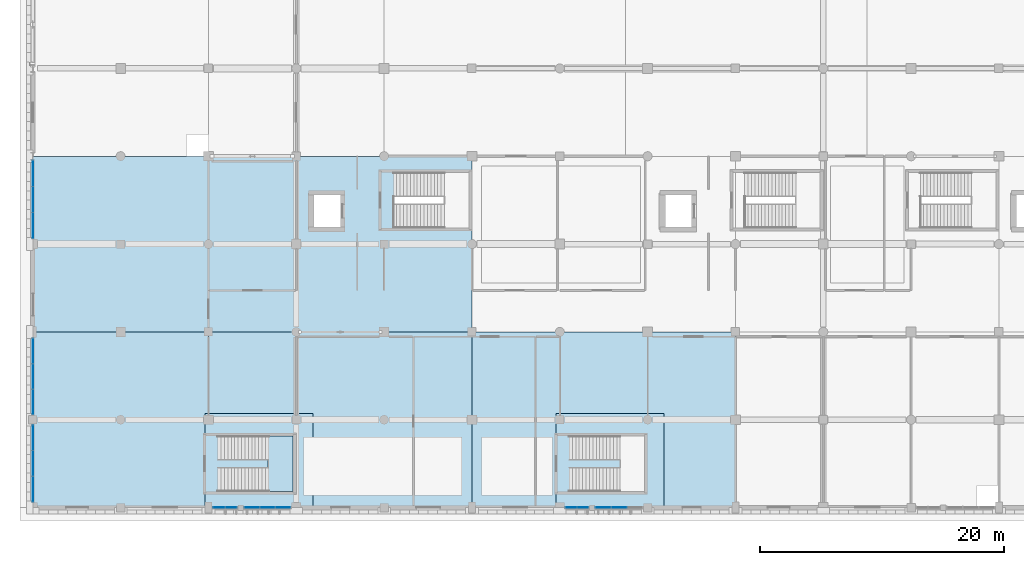
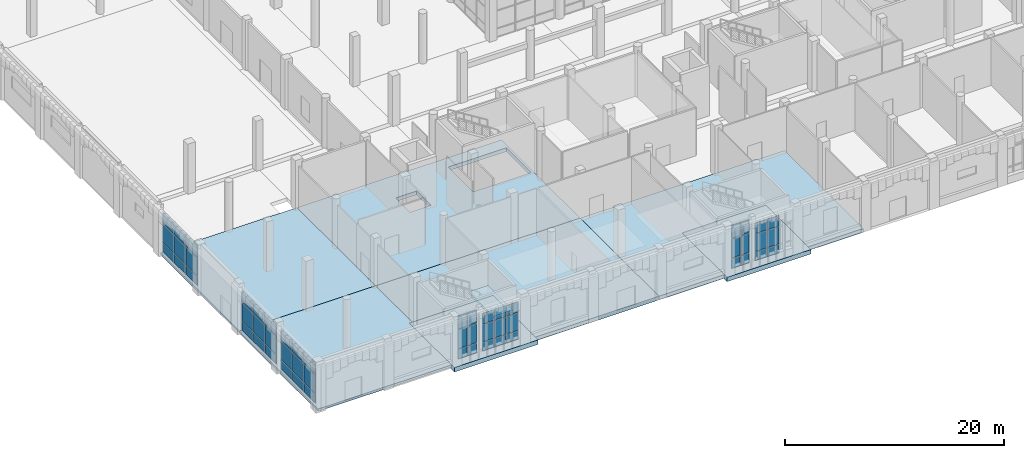
# One storey, part 37 of 85: 54 plates, 8 slabs, 8 elements without a shape of their own.
"""IFC4 building model written with IfcOpenShell, lengths in metres."""

from ifc_helpers import new_model, si_unit, direction, frame, origin, origin_2d, place, context, subcontext, project, spatial, polyline, rectangle, outline, extrude, material, layer, layer_set, type_object, element, aggregate, save


model = new_model("IFC4")

# Units and contexts
model_context = context("Model", 3, precision=1e-05, world=origin(), true_north=direction((0.0, 1.0)))
body_context = subcontext(model_context, "Body", "Model", "MODEL_VIEW")
ifc_project = project(units=[si_unit("LENGTHUNIT", "METRE"), si_unit("AREAUNIT", "SQUARE_METRE"), si_unit("VOLUMEUNIT", "CUBIC_METRE"), si_unit("PLANEANGLEUNIT", "RADIAN"), si_unit("MASSUNIT", "GRAM", prefix="KILO")], contexts=[model_context])

# Site, building, storey
site_placement = place(None, origin())
site = spatial("IfcSite", under=ifc_project, at=site_placement, CompositionType="ELEMENT")
building_placement = place(site_placement, origin())
building = spatial("IfcBuilding", under=site, at=building_placement, Name="Sardonyx Promenade Sports Hall", CompositionType="ELEMENT")
storey_placement = place(building_placement, origin())
storey = spatial("IfcBuildingStorey", under=building, at=storey_placement, Name="L00", CompositionType="ELEMENT", Elevation=0.0)

# Curtain wall, plates
ifc_material_1 = material(Name="Aluminium 6063-T6", Category="aluminium")
curtain_wall_type_1 = type_object("IfcCurtainWallType", Name="CW_South_L00_640", PredefinedType="USERDEFINED", material=ifc_material_1)
curtain_wall_1_placement = place(storey_placement, origin())
curtain_wall_1 = element("IfcCurtainWall", 1, at=curtain_wall_1_placement, inside=storey, type_object=curtain_wall_type_1, Name="Curtain wall CW11 cw:L00:013", ObjectType="CURTAIN WALL", PredefinedType="USERDEFINED")
ifc_material_2 = material(Name="Double-glazed acoustic IGU 32 mm", Category="glass")
ifc_layer_1 = layer(ifc_material_2, 0.031982421875)
ifc_layer_set_1 = layer_set([ifc_layer_1], Name="CW_Pan_Glz_32")
plate_type_1 = type_object("IfcPlateType", Name="CW_Pan_Glz_32", PredefinedType="CURTAIN_PANEL", material=ifc_layer_set_1)
plate_1_placement = place(storey_placement, frame((48.0625, 0.0, 0.419921875), z_axis=(0.0, 0.0, 1.0), x_axis=(-1.0, 0.0, 0.0)))
plate_1 = element("IfcPlate", 2, at=plate_1_placement, type_object=plate_type_1, Name="Curtain panel CP02 cw:L00:013 #4", PredefinedType="CURTAIN_PANEL", context=body_context, shape_type="SweptSolid", body=[
    extrude(rectangle(XDim=1.21826171875, YDim=0.031982421875, at=origin_2d()), origin(), (0.0, 0.0, 1.0), 0.945068359375),
])
plate_2_placement = place(storey_placement, frame((48.0625, 0.0, 1.43505859375), z_axis=(0.0, 0.0, 1.0), x_axis=(-1.0, 0.0, 0.0)))
plate_2 = element("IfcPlate", 3, at=plate_2_placement, type_object=plate_type_1, Name="Curtain panel CP02 cw:L00:013 #5", PredefinedType="CURTAIN_PANEL", context=body_context, shape_type="SweptSolid", body=[
    extrude(rectangle(XDim=1.21826171875, YDim=0.031982421875, at=origin_2d()), origin(), (0.0, 0.0, 1.0), 1.929931640625),
])
plate_3_placement = place(storey_placement, frame((48.0625, 0.0, 3.43505859375), z_axis=(0.0, 0.0, 1.0), x_axis=(-1.0, 0.0, 0.0)))
plate_3 = element("IfcPlate", 4, at=plate_3_placement, type_object=plate_type_1, Name="Curtain panel CP02 cw:L00:013 #6", PredefinedType="CURTAIN_PANEL", context=body_context, shape_type="SweptSolid", body=[
    extrude(rectangle(XDim=1.21826171875, YDim=0.031982421875, at=origin_2d()), origin(), (0.0, 0.0, 1.0), 1.14501953125),
])
plate_4_placement = place(storey_placement, frame((46.774169921875, 0.0, 0.419921875), z_axis=(0.0, 0.0, 1.0), x_axis=(-1.0, 0.0, 0.0)))
plate_4 = element("IfcPlate", 5, at=plate_4_placement, type_object=plate_type_1, Name="Curtain panel CP02 cw:L00:013 #7", PredefinedType="CURTAIN_PANEL", context=body_context, shape_type="SweptSolid", body=[
    extrude(rectangle(XDim=1.21826171875, YDim=0.031982421875, at=origin_2d()), origin(), (0.0, 0.0, 1.0), 0.945068359375),
])
plate_5_placement = place(storey_placement, frame((46.774169921875, 0.0, 1.43505859375), z_axis=(0.0, 0.0, 1.0), x_axis=(-1.0, 0.0, 0.0)))
plate_5 = element("IfcPlate", 6, at=plate_5_placement, type_object=plate_type_1, Name="Curtain panel CP02 cw:L00:013 #8", PredefinedType="CURTAIN_PANEL", context=body_context, shape_type="SweptSolid", body=[
    extrude(rectangle(XDim=1.21826171875, YDim=0.031982421875, at=origin_2d()), origin(), (0.0, 0.0, 1.0), 1.929931640625),
])
plate_6_placement = place(storey_placement, frame((46.774169921875, 0.0, 3.43505859375), z_axis=(0.0, 0.0, 1.0), x_axis=(-1.0, 0.0, 0.0)))
plate_6 = element("IfcPlate", 7, at=plate_6_placement, type_object=plate_type_1, Name="Curtain panel CP02 cw:L00:013 #9", PredefinedType="CURTAIN_PANEL", context=body_context, shape_type="SweptSolid", body=[
    extrude(rectangle(XDim=1.21826171875, YDim=0.031982421875, at=origin_2d()), origin(), (0.0, 0.0, 1.0), 1.14501953125),
])
aggregate(curtain_wall_1, [plate_1, plate_2, plate_3, plate_4, plate_5, plate_6])

curtain_wall_2_placement = place(storey_placement, origin())
curtain_wall_2 = element("IfcCurtainWall", 8, at=curtain_wall_2_placement, inside=storey, type_object=curtain_wall_type_1, Name="Curtain wall CW11 cw:L00:015", ObjectType="CURTAIN WALL", PredefinedType="USERDEFINED")
plate_7_placement = place(storey_placement, frame((20.50927734375, 0.0, 0.419921875), z_axis=(0.0, 0.0, 1.0), x_axis=(-1.0, 0.0, 0.0)))
plate_7 = element("IfcPlate", 9, at=plate_7_placement, type_object=plate_type_1, Name="Curtain panel CP02 cw:L00:015 #1", PredefinedType="CURTAIN_PANEL", context=body_context, shape_type="SweptSolid", body=[
    extrude(rectangle(XDim=1.20166015625, YDim=0.031982421875, at=origin_2d()), origin(), (0.0, 0.0, 1.0), 0.945068359375),
])
plate_8_placement = place(storey_placement, frame((20.50927734375, 0.0, 1.43505859375), z_axis=(0.0, 0.0, 1.0), x_axis=(-1.0, 0.0, 0.0)))
plate_8 = element("IfcPlate", 10, at=plate_8_placement, type_object=plate_type_1, Name="Curtain panel CP02 cw:L00:015 #2", PredefinedType="CURTAIN_PANEL", context=body_context, shape_type="SweptSolid", body=[
    extrude(rectangle(XDim=1.20166015625, YDim=0.031982421875, at=origin_2d()), origin(), (0.0, 0.0, 1.0), 1.929931640625),
])
plate_9_placement = place(storey_placement, frame((20.50927734375, 0.0, 3.43505859375), z_axis=(0.0, 0.0, 1.0), x_axis=(-1.0, 0.0, 0.0)))
plate_9 = element("IfcPlate", 11, at=plate_9_placement, type_object=plate_type_1, Name="Curtain panel CP02 cw:L00:015 #3", PredefinedType="CURTAIN_PANEL", context=body_context, shape_type="SweptSolid", body=[
    extrude(rectangle(XDim=1.20166015625, YDim=0.031982421875, at=origin_2d()), origin(), (0.0, 0.0, 1.0), 1.14501953125),
])
plate_10_placement = place(storey_placement, frame((19.237548828125, 0.0, 0.419921875), z_axis=(0.0, 0.0, 1.0), x_axis=(-1.0, 0.0, 0.0)))
plate_10 = element("IfcPlate", 12, at=plate_10_placement, type_object=plate_type_1, Name="Curtain panel CP02 cw:L00:015 #4", PredefinedType="CURTAIN_PANEL", context=body_context, shape_type="SweptSolid", body=[
    extrude(rectangle(XDim=1.20166015625, YDim=0.031982421875, at=origin_2d()), origin(), (0.0, 0.0, 1.0), 0.945068359375),
])
plate_11_placement = place(storey_placement, frame((19.237548828125, 0.0, 1.43505859375), z_axis=(0.0, 0.0, 1.0), x_axis=(-1.0, 0.0, 0.0)))
plate_11 = element("IfcPlate", 13, at=plate_11_placement, type_object=plate_type_1, Name="Curtain panel CP02 cw:L00:015 #5", PredefinedType="CURTAIN_PANEL", context=body_context, shape_type="SweptSolid", body=[
    extrude(rectangle(XDim=1.20166015625, YDim=0.031982421875, at=origin_2d()), origin(), (0.0, 0.0, 1.0), 1.929931640625),
])
plate_12_placement = place(storey_placement, frame((19.237548828125, 0.0, 3.43505859375), z_axis=(0.0, 0.0, 1.0), x_axis=(-1.0, 0.0, 0.0)))
plate_12 = element("IfcPlate", 14, at=plate_12_placement, type_object=plate_type_1, Name="Curtain panel CP02 cw:L00:015 #6", PredefinedType="CURTAIN_PANEL", context=body_context, shape_type="SweptSolid", body=[
    extrude(rectangle(XDim=1.20166015625, YDim=0.031982421875, at=origin_2d()), origin(), (0.0, 0.0, 1.0), 1.14501953125),
])
plate_13_placement = place(storey_placement, frame((17.9658203125, 0.0, 0.419921875), z_axis=(0.0, 0.0, 1.0), x_axis=(-1.0, 0.0, 0.0)))
plate_13 = element("IfcPlate", 15, at=plate_13_placement, type_object=plate_type_1, Name="Curtain panel CP02 cw:L00:015 #7", PredefinedType="CURTAIN_PANEL", context=body_context, shape_type="SweptSolid", body=[
    extrude(rectangle(XDim=1.20166015625, YDim=0.031982421875, at=origin_2d()), origin(), (0.0, 0.0, 1.0), 0.945068359375),
])
plate_14_placement = place(storey_placement, frame((17.9658203125, 0.0, 1.43505859375), z_axis=(0.0, 0.0, 1.0), x_axis=(-1.0, 0.0, 0.0)))
plate_14 = element("IfcPlate", 16, at=plate_14_placement, type_object=plate_type_1, Name="Curtain panel CP02 cw:L00:015 #8", PredefinedType="CURTAIN_PANEL", context=body_context, shape_type="SweptSolid", body=[
    extrude(rectangle(XDim=1.20166015625, YDim=0.031982421875, at=origin_2d()), origin(), (0.0, 0.0, 1.0), 1.929931640625),
])
plate_15_placement = place(storey_placement, frame((17.9658203125, 0.0, 3.43505859375), z_axis=(0.0, 0.0, 1.0), x_axis=(-1.0, 0.0, 0.0)))
plate_15 = element("IfcPlate", 17, at=plate_15_placement, type_object=plate_type_1, Name="Curtain panel CP02 cw:L00:015 #9", PredefinedType="CURTAIN_PANEL", context=body_context, shape_type="SweptSolid", body=[
    extrude(rectangle(XDim=1.20166015625, YDim=0.031982421875, at=origin_2d()), origin(), (0.0, 0.0, 1.0), 1.14501953125),
])
aggregate(curtain_wall_2, [plate_7, plate_8, plate_9, plate_10, plate_11, plate_12, plate_13, plate_14, plate_15])

ifc_material_3 = material(Name="Aluminium 6063-T6", Category="aluminium")
curtain_wall_type_2 = type_object("IfcCurtainWallType", Name="CW_Climb_North_L00", PredefinedType="USERDEFINED", material=ifc_material_3)
curtain_wall_3_placement = place(storey_placement, origin())
curtain_wall_3 = element("IfcCurtainWall", 18, at=curtain_wall_3_placement, inside=storey, type_object=curtain_wall_type_2, Name="Curtain wall CW05 cw:L00:060", ObjectType="CURTAIN WALL", PredefinedType="USERDEFINED")
ifc_material_4 = material(Name="Laminated safety sports IGU 36 mm", Category="glass")
ifc_layer_2 = layer(ifc_material_4, 0.035888671875)
ifc_layer_set_2 = layer_set([ifc_layer_2], Name="CW_Pan_Glz_36")
plate_type_2 = type_object("IfcPlateType", Name="CW_Pan_Glz_36", PredefinedType="CURTAIN_PANEL", material=ifc_layer_set_2)
plate_16_placement = place(storey_placement, frame((0.0, 1.51171875, 0.419921875), z_axis=(0.0, 0.0, 1.0), x_axis=(0.0, 1.0, 0.0)))
plate_16 = element("IfcPlate", 19, at=plate_16_placement, type_object=plate_type_2, Name="Curtain panel CP03 cw:L00:060 #1", PredefinedType="CURTAIN_PANEL", context=body_context, shape_type="SweptSolid", body=[
    extrude(rectangle(XDim=2.043212890625, YDim=0.035888671875, at=origin_2d()), origin(), (0.0, 0.0, 1.0), 0.9951171875),
])
plate_17_placement = place(storey_placement, frame((0.0, 1.51171875, 1.48486328125), z_axis=(0.0, 0.0, 1.0), x_axis=(0.0, 1.0, 0.0)))
plate_17 = element("IfcPlate", 20, at=plate_17_placement, type_object=plate_type_2, Name="Curtain panel CP03 cw:L00:060 #2", PredefinedType="CURTAIN_PANEL", context=body_context, shape_type="SweptSolid", body=[
    extrude(rectangle(XDim=2.043212890625, YDim=0.035888671875, at=origin_2d()), origin(), (0.0, 0.0, 1.0), 2.030029296875),
])
plate_18_placement = place(storey_placement, frame((0.0, 1.51171875, 3.5849609375), z_axis=(0.0, 0.0, 1.0), x_axis=(0.0, 1.0, 0.0)))
plate_18 = element("IfcPlate", 21, at=plate_18_placement, type_object=plate_type_2, Name="Curtain panel CP03 cw:L00:060 #3", PredefinedType="CURTAIN_PANEL", context=body_context, shape_type="SweptSolid", body=[
    extrude(rectangle(XDim=2.043212890625, YDim=0.035888671875, at=origin_2d()), origin(), (0.0, 0.0, 1.0), 1.294921875),
])
plate_19_placement = place(storey_placement, frame((0.0, 3.625, 0.419921875), z_axis=(0.0, 0.0, 1.0), x_axis=(0.0, 1.0, 0.0)))
plate_19 = element("IfcPlate", 22, at=plate_19_placement, type_object=plate_type_2, Name="Curtain panel CP03 cw:L00:060 #4", PredefinedType="CURTAIN_PANEL", context=body_context, shape_type="SweptSolid", body=[
    extrude(rectangle(XDim=2.043212890625, YDim=0.035888671875, at=origin_2d()), origin(), (0.0, 0.0, 1.0), 0.9951171875),
])
plate_20_placement = place(storey_placement, frame((0.0, 3.625, 1.48486328125), z_axis=(0.0, 0.0, 1.0), x_axis=(0.0, 1.0, 0.0)))
plate_20 = element("IfcPlate", 23, at=plate_20_placement, type_object=plate_type_2, Name="Curtain panel CP03 cw:L00:060 #5", PredefinedType="CURTAIN_PANEL", context=body_context, shape_type="SweptSolid", body=[
    extrude(rectangle(XDim=2.043212890625, YDim=0.035888671875, at=origin_2d()), origin(), (0.0, 0.0, 1.0), 2.030029296875),
])
plate_21_placement = place(storey_placement, frame((0.0, 3.625, 3.5849609375), z_axis=(0.0, 0.0, 1.0), x_axis=(0.0, 1.0, 0.0)))
plate_21 = element("IfcPlate", 24, at=plate_21_placement, type_object=plate_type_2, Name="Curtain panel CP03 cw:L00:060 #6", PredefinedType="CURTAIN_PANEL", context=body_context, shape_type="SweptSolid", body=[
    extrude(rectangle(XDim=2.043212890625, YDim=0.035888671875, at=origin_2d()), origin(), (0.0, 0.0, 1.0), 1.294921875),
])
plate_22_placement = place(storey_placement, frame((0.0, 5.73828125, 0.419921875), z_axis=(0.0, 0.0, 1.0), x_axis=(0.0, 1.0, 0.0)))
plate_22 = element("IfcPlate", 25, at=plate_22_placement, type_object=plate_type_2, Name="Curtain panel CP03 cw:L00:060 #7", PredefinedType="CURTAIN_PANEL", context=body_context, shape_type="SweptSolid", body=[
    extrude(rectangle(XDim=2.043212890625, YDim=0.035888671875, at=origin_2d()), origin(), (0.0, 0.0, 1.0), 0.9951171875),
])
plate_23_placement = place(storey_placement, frame((0.0, 5.73828125, 1.48486328125), z_axis=(0.0, 0.0, 1.0), x_axis=(0.0, 1.0, 0.0)))
plate_23 = element("IfcPlate", 26, at=plate_23_placement, type_object=plate_type_2, Name="Curtain panel CP03 cw:L00:060 #8", PredefinedType="CURTAIN_PANEL", context=body_context, shape_type="SweptSolid", body=[
    extrude(rectangle(XDim=2.043212890625, YDim=0.035888671875, at=origin_2d()), origin(), (0.0, 0.0, 1.0), 2.030029296875),
])
plate_24_placement = place(storey_placement, frame((0.0, 5.73828125, 3.5849609375), z_axis=(0.0, 0.0, 1.0), x_axis=(0.0, 1.0, 0.0)))
plate_24 = element("IfcPlate", 27, at=plate_24_placement, type_object=plate_type_2, Name="Curtain panel CP03 cw:L00:060 #9", PredefinedType="CURTAIN_PANEL", context=body_context, shape_type="SweptSolid", body=[
    extrude(rectangle(XDim=2.043212890625, YDim=0.035888671875, at=origin_2d()), origin(), (0.0, 0.0, 1.0), 1.294921875),
])
aggregate(curtain_wall_3, [plate_16, plate_17, plate_18, plate_19, plate_20, plate_21, plate_22, plate_23, plate_24])

curtain_wall_4_placement = place(storey_placement, origin())
curtain_wall_4 = element("IfcCurtainWall", 28, at=curtain_wall_4_placement, inside=storey, type_object=curtain_wall_type_2, Name="Curtain wall CW05 cw:L00:061", ObjectType="CURTAIN WALL", PredefinedType="USERDEFINED")
plate_25_placement = place(storey_placement, frame((0.0, 8.6533203125, 0.419921875), z_axis=(0.0, 0.0, 1.0), x_axis=(0.0, 1.0, 0.0)))
plate_25 = element("IfcPlate", 29, at=plate_25_placement, type_object=plate_type_2, Name="Curtain panel CP03 cw:L00:061 #1", PredefinedType="CURTAIN_PANEL", context=body_context, shape_type="SweptSolid", body=[
    extrude(rectangle(XDim=2.026611328125, YDim=0.035888671875, at=origin_2d()), origin(), (0.0, 0.0, 1.0), 0.9951171875),
])
plate_26_placement = place(storey_placement, frame((0.0, 8.6533203125, 1.48486328125), z_axis=(0.0, 0.0, 1.0), x_axis=(0.0, 1.0, 0.0)))
plate_26 = element("IfcPlate", 30, at=plate_26_placement, type_object=plate_type_2, Name="Curtain panel CP03 cw:L00:061 #2", PredefinedType="CURTAIN_PANEL", context=body_context, shape_type="SweptSolid", body=[
    extrude(rectangle(XDim=2.026611328125, YDim=0.035888671875, at=origin_2d()), origin(), (0.0, 0.0, 1.0), 2.030029296875),
])
plate_27_placement = place(storey_placement, frame((0.0, 8.6533203125, 3.5849609375), z_axis=(0.0, 0.0, 1.0), x_axis=(0.0, 1.0, 0.0)))
plate_27 = element("IfcPlate", 31, at=plate_27_placement, type_object=plate_type_2, Name="Curtain panel CP03 cw:L00:061 #3", PredefinedType="CURTAIN_PANEL", context=body_context, shape_type="SweptSolid", body=[
    extrude(rectangle(XDim=2.026611328125, YDim=0.035888671875, at=origin_2d()), origin(), (0.0, 0.0, 1.0), 1.294921875),
])
plate_28_placement = place(storey_placement, frame((0.0, 10.75, 0.419921875), z_axis=(0.0, 0.0, 1.0), x_axis=(0.0, 1.0, 0.0)))
plate_28 = element("IfcPlate", 32, at=plate_28_placement, type_object=plate_type_2, Name="Curtain panel CP03 cw:L00:061 #4", PredefinedType="CURTAIN_PANEL", context=body_context, shape_type="SweptSolid", body=[
    extrude(rectangle(XDim=2.026611328125, YDim=0.035888671875, at=origin_2d()), origin(), (0.0, 0.0, 1.0), 0.9951171875),
])
plate_29_placement = place(storey_placement, frame((0.0, 10.75, 1.48486328125), z_axis=(0.0, 0.0, 1.0), x_axis=(0.0, 1.0, 0.0)))
plate_29 = element("IfcPlate", 33, at=plate_29_placement, type_object=plate_type_2, Name="Curtain panel CP03 cw:L00:061 #5", PredefinedType="CURTAIN_PANEL", context=body_context, shape_type="SweptSolid", body=[
    extrude(rectangle(XDim=2.026611328125, YDim=0.035888671875, at=origin_2d()), origin(), (0.0, 0.0, 1.0), 2.030029296875),
])
plate_30_placement = place(storey_placement, frame((0.0, 10.75, 3.5849609375), z_axis=(0.0, 0.0, 1.0), x_axis=(0.0, 1.0, 0.0)))
plate_30 = element("IfcPlate", 34, at=plate_30_placement, type_object=plate_type_2, Name="Curtain panel CP03 cw:L00:061 #6", PredefinedType="CURTAIN_PANEL", context=body_context, shape_type="SweptSolid", body=[
    extrude(rectangle(XDim=2.026611328125, YDim=0.035888671875, at=origin_2d()), origin(), (0.0, 0.0, 1.0), 1.294921875),
])
plate_31_placement = place(storey_placement, frame((0.0, 12.8466796875, 0.419921875), z_axis=(0.0, 0.0, 1.0), x_axis=(0.0, 1.0, 0.0)))
plate_31 = element("IfcPlate", 35, at=plate_31_placement, type_object=plate_type_2, Name="Curtain panel CP03 cw:L00:061 #7", PredefinedType="CURTAIN_PANEL", context=body_context, shape_type="SweptSolid", body=[
    extrude(rectangle(XDim=2.026611328125, YDim=0.035888671875, at=origin_2d()), origin(), (0.0, 0.0, 1.0), 0.9951171875),
])
plate_32_placement = place(storey_placement, frame((0.0, 12.8466796875, 1.48486328125), z_axis=(0.0, 0.0, 1.0), x_axis=(0.0, 1.0, 0.0)))
plate_32 = element("IfcPlate", 36, at=plate_32_placement, type_object=plate_type_2, Name="Curtain panel CP03 cw:L00:061 #8", PredefinedType="CURTAIN_PANEL", context=body_context, shape_type="SweptSolid", body=[
    extrude(rectangle(XDim=2.026611328125, YDim=0.035888671875, at=origin_2d()), origin(), (0.0, 0.0, 1.0), 2.030029296875),
])
plate_33_placement = place(storey_placement, frame((0.0, 12.8466796875, 3.5849609375), z_axis=(0.0, 0.0, 1.0), x_axis=(0.0, 1.0, 0.0)))
plate_33 = element("IfcPlate", 37, at=plate_33_placement, type_object=plate_type_2, Name="Curtain panel CP03 cw:L00:061 #9", PredefinedType="CURTAIN_PANEL", context=body_context, shape_type="SweptSolid", body=[
    extrude(rectangle(XDim=2.026611328125, YDim=0.035888671875, at=origin_2d()), origin(), (0.0, 0.0, 1.0), 1.294921875),
])
aggregate(curtain_wall_4, [plate_25, plate_26, plate_27, plate_28, plate_29, plate_30, plate_31, plate_32, plate_33])

curtain_wall_5_placement = place(storey_placement, origin())
curtain_wall_5 = element("IfcCurtainWall", 38, at=curtain_wall_5_placement, inside=storey, type_object=curtain_wall_type_2, Name="Curtain wall CW05 cw:L00:062", ObjectType="CURTAIN WALL", PredefinedType="USERDEFINED")
plate_34_placement = place(storey_placement, frame((0.0, 23.120849609375, 0.419921875), z_axis=(0.0, 0.0, 1.0), x_axis=(0.0, 1.0, 0.0)))
plate_34 = element("IfcPlate", 39, at=plate_34_placement, type_object=plate_type_2, Name="Curtain panel CP03 cw:L00:062 #1", PredefinedType="CURTAIN_PANEL", context=body_context, shape_type="SweptSolid", body=[
    extrude(rectangle(XDim=2.061767578125, YDim=0.035888671875, at=origin_2d()), origin(), (0.0, 0.0, 1.0), 0.9951171875),
])
plate_35_placement = place(storey_placement, frame((0.0, 23.120849609375, 1.48486328125), z_axis=(0.0, 0.0, 1.0), x_axis=(0.0, 1.0, 0.0)))
plate_35 = element("IfcPlate", 40, at=plate_35_placement, type_object=plate_type_2, Name="Curtain panel CP03 cw:L00:062 #2", PredefinedType="CURTAIN_PANEL", context=body_context, shape_type="SweptSolid", body=[
    extrude(rectangle(XDim=2.061767578125, YDim=0.035888671875, at=origin_2d()), origin(), (0.0, 0.0, 1.0), 2.030029296875),
])
plate_36_placement = place(storey_placement, frame((0.0, 23.120849609375, 3.5849609375), z_axis=(0.0, 0.0, 1.0), x_axis=(0.0, 1.0, 0.0)))
plate_36 = element("IfcPlate", 41, at=plate_36_placement, type_object=plate_type_2, Name="Curtain panel CP03 cw:L00:062 #3", PredefinedType="CURTAIN_PANEL", context=body_context, shape_type="SweptSolid", body=[
    extrude(rectangle(XDim=2.061767578125, YDim=0.035888671875, at=origin_2d()), origin(), (0.0, 0.0, 1.0), 1.294921875),
])
plate_37_placement = place(storey_placement, frame((0.0, 25.25244140625, 0.419921875), z_axis=(0.0, 0.0, 1.0), x_axis=(0.0, 1.0, 0.0)))
plate_37 = element("IfcPlate", 42, at=plate_37_placement, type_object=plate_type_2, Name="Curtain panel CP03 cw:L00:062 #4", PredefinedType="CURTAIN_PANEL", context=body_context, shape_type="SweptSolid", body=[
    extrude(rectangle(XDim=2.061767578125, YDim=0.035888671875, at=origin_2d()), origin(), (0.0, 0.0, 1.0), 0.9951171875),
])
plate_38_placement = place(storey_placement, frame((0.0, 25.25244140625, 1.48486328125), z_axis=(0.0, 0.0, 1.0), x_axis=(0.0, 1.0, 0.0)))
plate_38 = element("IfcPlate", 43, at=plate_38_placement, type_object=plate_type_2, Name="Curtain panel CP03 cw:L00:062 #5", PredefinedType="CURTAIN_PANEL", context=body_context, shape_type="SweptSolid", body=[
    extrude(rectangle(XDim=2.061767578125, YDim=0.035888671875, at=origin_2d()), origin(), (0.0, 0.0, 1.0), 2.030029296875),
])
plate_39_placement = place(storey_placement, frame((0.0, 25.25244140625, 3.5849609375), z_axis=(0.0, 0.0, 1.0), x_axis=(0.0, 1.0, 0.0)))
plate_39 = element("IfcPlate", 44, at=plate_39_placement, type_object=plate_type_2, Name="Curtain panel CP03 cw:L00:062 #6", PredefinedType="CURTAIN_PANEL", context=body_context, shape_type="SweptSolid", body=[
    extrude(rectangle(XDim=2.061767578125, YDim=0.035888671875, at=origin_2d()), origin(), (0.0, 0.0, 1.0), 1.294921875),
])
plate_40_placement = place(storey_placement, frame((0.0, 27.38427734375, 0.419921875), z_axis=(0.0, 0.0, 1.0), x_axis=(0.0, 1.0, 0.0)))
plate_40 = element("IfcPlate", 45, at=plate_40_placement, type_object=plate_type_2, Name="Curtain panel CP03 cw:L00:062 #7", PredefinedType="CURTAIN_PANEL", context=body_context, shape_type="SweptSolid", body=[
    extrude(rectangle(XDim=2.061767578125, YDim=0.035888671875, at=origin_2d()), origin(), (0.0, 0.0, 1.0), 0.9951171875),
])
plate_41_placement = place(storey_placement, frame((0.0, 27.38427734375, 1.48486328125), z_axis=(0.0, 0.0, 1.0), x_axis=(0.0, 1.0, 0.0)))
plate_41 = element("IfcPlate", 46, at=plate_41_placement, type_object=plate_type_2, Name="Curtain panel CP03 cw:L00:062 #8", PredefinedType="CURTAIN_PANEL", context=body_context, shape_type="SweptSolid", body=[
    extrude(rectangle(XDim=2.061767578125, YDim=0.035888671875, at=origin_2d()), origin(), (0.0, 0.0, 1.0), 2.030029296875),
])
plate_42_placement = place(storey_placement, frame((0.0, 27.38427734375, 3.5849609375), z_axis=(0.0, 0.0, 1.0), x_axis=(0.0, 1.0, 0.0)))
plate_42 = element("IfcPlate", 47, at=plate_42_placement, type_object=plate_type_2, Name="Curtain panel CP03 cw:L00:062 #9", PredefinedType="CURTAIN_PANEL", context=body_context, shape_type="SweptSolid", body=[
    extrude(rectangle(XDim=2.061767578125, YDim=0.035888671875, at=origin_2d()), origin(), (0.0, 0.0, 1.0), 1.294921875),
])
aggregate(curtain_wall_5, [plate_34, plate_35, plate_36, plate_37, plate_38, plate_39, plate_40, plate_41, plate_42])

ifc_material_5 = material(Name="Aluminium 6063-T6", Category="aluminium")
curtain_wall_type_3 = type_object("IfcCurtainWallType", Name="CW_Foyer_Pilaster_L00", PredefinedType="USERDEFINED", material=ifc_material_5)
curtain_wall_6_placement = place(storey_placement, origin())
curtain_wall_6 = element("IfcCurtainWall", 48, at=curtain_wall_6_placement, inside=storey, type_object=curtain_wall_type_3, Name="Curtain wall CW20 cw:L00:014", ObjectType="CURTAIN WALL", PredefinedType="USERDEFINED")
ifc_material_6 = material(Name="Triple-glazed harbour solar IGU 40 mm", Category="glass")
ifc_layer_3 = layer(ifc_material_6, 0.0400390625)
ifc_layer_set_3 = layer_set([ifc_layer_3], Name="CW_Pan_Glz_40")
plate_type_3 = type_object("IfcPlateType", Name="CW_Pan_Glz_40", PredefinedType="CURTAIN_PANEL", material=ifc_layer_set_3)
plate_43_placement = place(storey_placement, frame((45.090087890625, 0.0, 0.425048828125), z_axis=(0.0, 0.0, 1.0), x_axis=(-1.0, 0.0, 0.0)))
plate_43 = element("IfcPlate", 49, at=plate_43_placement, type_object=plate_type_3, Name="Curtain panel CP04 cw:L00:014 #1", PredefinedType="CURTAIN_PANEL", context=body_context, shape_type="SweptSolid", body=[
    extrude(rectangle(XDim=0.8798828125, YDim=0.0400390625, at=origin_2d()), origin(), (0.0, 0.0, 1.0), 1.08740234375),
])
plate_44_placement = place(storey_placement, frame((45.090087890625, 0.0, 1.58740234375), z_axis=(0.0, 0.0, 1.0), x_axis=(-1.0, 0.0, 0.0)))
plate_44 = element("IfcPlate", 50, at=plate_44_placement, type_object=plate_type_3, Name="Curtain panel CP04 cw:L00:014 #2", PredefinedType="CURTAIN_PANEL", context=body_context, shape_type="SweptSolid", body=[
    extrude(rectangle(XDim=0.8798828125, YDim=0.0400390625, at=origin_2d()), origin(), (0.0, 0.0, 1.0), 2.125),
])
plate_45_placement = place(storey_placement, frame((45.090087890625, 0.0, 3.78759765625), z_axis=(0.0, 0.0, 1.0), x_axis=(-1.0, 0.0, 0.0)))
plate_45 = element("IfcPlate", 51, at=plate_45_placement, type_object=plate_type_3, Name="Curtain panel CP04 cw:L00:014 #3", PredefinedType="CURTAIN_PANEL", context=body_context, shape_type="SweptSolid", body=[
    extrude(rectangle(XDim=0.8798828125, YDim=0.0400390625, at=origin_2d()), origin(), (0.0, 0.0, 1.0), 1.4375),
])
plate_46_placement = place(storey_placement, frame((44.135009765625, 0.0, 0.425048828125), z_axis=(0.0, 0.0, 1.0), x_axis=(-1.0, 0.0, 0.0)))
plate_46 = element("IfcPlate", 52, at=plate_46_placement, type_object=plate_type_3, Name="Curtain panel CP04 cw:L00:014 #4", PredefinedType="CURTAIN_PANEL", context=body_context, shape_type="SweptSolid", body=[
    extrude(rectangle(XDim=0.8798828125, YDim=0.0400390625, at=origin_2d()), origin(), (0.0, 0.0, 1.0), 1.08740234375),
])
plate_47_placement = place(storey_placement, frame((44.135009765625, 0.0, 1.58740234375), z_axis=(0.0, 0.0, 1.0), x_axis=(-1.0, 0.0, 0.0)))
plate_47 = element("IfcPlate", 53, at=plate_47_placement, type_object=plate_type_3, Name="Curtain panel CP04 cw:L00:014 #5", PredefinedType="CURTAIN_PANEL", context=body_context, shape_type="SweptSolid", body=[
    extrude(rectangle(XDim=0.8798828125, YDim=0.0400390625, at=origin_2d()), origin(), (0.0, 0.0, 1.0), 2.125),
])
plate_48_placement = place(storey_placement, frame((44.135009765625, 0.0, 3.78759765625), z_axis=(0.0, 0.0, 1.0), x_axis=(-1.0, 0.0, 0.0)))
plate_48 = element("IfcPlate", 54, at=plate_48_placement, type_object=plate_type_3, Name="Curtain panel CP04 cw:L00:014 #6", PredefinedType="CURTAIN_PANEL", context=body_context, shape_type="SweptSolid", body=[
    extrude(rectangle(XDim=0.8798828125, YDim=0.0400390625, at=origin_2d()), origin(), (0.0, 0.0, 1.0), 1.4375),
])
aggregate(curtain_wall_6, [plate_43, plate_44, plate_45, plate_46, plate_47, plate_48])

curtain_wall_7_placement = place(storey_placement, origin())
curtain_wall_7 = element("IfcCurtainWall", 55, at=curtain_wall_7_placement, inside=storey, type_object=curtain_wall_type_3, Name="Curtain wall CW20 cw:L00:016", ObjectType="CURTAIN WALL", PredefinedType="USERDEFINED")
plate_49_placement = place(storey_placement, frame((16.264892578125, 0.0, 0.425048828125), z_axis=(0.0, 0.0, 1.0), x_axis=(-1.0, 0.0, 0.0)))
plate_49 = element("IfcPlate", 56, at=plate_49_placement, type_object=plate_type_3, Name="Curtain panel CP04 cw:L00:016 #1", PredefinedType="CURTAIN_PANEL", context=body_context, shape_type="SweptSolid", body=[
    extrude(rectangle(XDim=0.929931640625, YDim=0.0400390625, at=origin_2d()), origin(), (0.0, 0.0, 1.0), 1.08740234375),
])
plate_50_placement = place(storey_placement, frame((16.264892578125, 0.0, 1.58740234375), z_axis=(0.0, 0.0, 1.0), x_axis=(-1.0, 0.0, 0.0)))
plate_50 = element("IfcPlate", 57, at=plate_50_placement, type_object=plate_type_3, Name="Curtain panel CP04 cw:L00:016 #2", PredefinedType="CURTAIN_PANEL", context=body_context, shape_type="SweptSolid", body=[
    extrude(rectangle(XDim=0.929931640625, YDim=0.0400390625, at=origin_2d()), origin(), (0.0, 0.0, 1.0), 2.125),
])
plate_51_placement = place(storey_placement, frame((16.264892578125, 0.0, 3.78759765625), z_axis=(0.0, 0.0, 1.0), x_axis=(-1.0, 0.0, 0.0)))
plate_51 = element("IfcPlate", 58, at=plate_51_placement, type_object=plate_type_3, Name="Curtain panel CP04 cw:L00:016 #3", PredefinedType="CURTAIN_PANEL", context=body_context, shape_type="SweptSolid", body=[
    extrude(rectangle(XDim=0.929931640625, YDim=0.0400390625, at=origin_2d()), origin(), (0.0, 0.0, 1.0), 1.4375),
])
plate_52_placement = place(storey_placement, frame((15.260009765625, 0.0, 0.425048828125), z_axis=(0.0, 0.0, 1.0), x_axis=(-1.0, 0.0, 0.0)))
plate_52 = element("IfcPlate", 59, at=plate_52_placement, type_object=plate_type_3, Name="Curtain panel CP04 cw:L00:016 #4", PredefinedType="CURTAIN_PANEL", context=body_context, shape_type="SweptSolid", body=[
    extrude(rectangle(XDim=0.929931640625, YDim=0.0400390625, at=origin_2d()), origin(), (0.0, 0.0, 1.0), 1.08740234375),
])
plate_53_placement = place(storey_placement, frame((15.260009765625, 0.0, 1.58740234375), z_axis=(0.0, 0.0, 1.0), x_axis=(-1.0, 0.0, 0.0)))
plate_53 = element("IfcPlate", 60, at=plate_53_placement, type_object=plate_type_3, Name="Curtain panel CP04 cw:L00:016 #5", PredefinedType="CURTAIN_PANEL", context=body_context, shape_type="SweptSolid", body=[
    extrude(rectangle(XDim=0.929931640625, YDim=0.0400390625, at=origin_2d()), origin(), (0.0, 0.0, 1.0), 2.125),
])
plate_54_placement = place(storey_placement, frame((15.260009765625, 0.0, 3.78759765625), z_axis=(0.0, 0.0, 1.0), x_axis=(-1.0, 0.0, 0.0)))
plate_54 = element("IfcPlate", 61, at=plate_54_placement, type_object=plate_type_3, Name="Curtain panel CP04 cw:L00:016 #6", PredefinedType="CURTAIN_PANEL", context=body_context, shape_type="SweptSolid", body=[
    extrude(rectangle(XDim=0.929931640625, YDim=0.0400390625, at=origin_2d()), origin(), (0.0, 0.0, 1.0), 1.4375),
])
aggregate(curtain_wall_7, [plate_49, plate_50, plate_51, plate_52, plate_53, plate_54])

# Stair, slab
ifc_material_7 = material(Name="Concrete C40/50", Category="concrete")
stair_type = type_object("IfcStairType", Name="Stair_Esc_Std_560", PredefinedType="HALF_TURN_STAIR", material=ifc_material_7)
stair_placement = place(storey_placement, origin())
stair = element("IfcStair", 62, at=stair_placement, inside=storey, type_object=stair_type, Name="Protected escape stair ST5 (L00 to L01)", PredefinedType="HALF_TURN_STAIR")
ifc_material_8 = material(Name="Concrete C40/50", Category="concrete")
ifc_layer_4 = layer(ifc_material_8, 0.260009765625)
ifc_layer_set_4 = layer_set([ifc_layer_4], Name="Land_Stair_260")
slab_type_1 = type_object("IfcSlabType", Name="Land_Stair_260", PredefinedType="LANDING", material=ifc_layer_set_4)
slab_1_placement = place(storey_placement, frame((0.0, 0.0, 2.5400390625)))
slab_1 = element("IfcSlab", 63, at=slab_1_placement, type_object=slab_type_1, Name="Stair half-landing ST5 L00", PredefinedType="LANDING", context=body_context, shape_type="SweptSolid", body=[
    extrude(outline(polyline([(19.2900390625, 1.324951171875), (21.35009765625, 1.324951171875), (21.35009765625, 5.875), (19.2900390625, 5.875), (19.2900390625, 1.324951171875)])), origin(), (0.0, 0.0, 1.0), 0.260009765625),
])
aggregate(stair, [slab_1])

# Slabs
ifc_material_9 = material(Name="Concrete C40/50", Category="concrete")
ifc_layer_5 = layer(ifc_material_9, 0.5)
ifc_layer_set_5 = layer_set([ifc_layer_5], Name="Slab_Base_B1_500")
slab_type_2 = type_object("IfcSlabType", Name="Slab_Base_B1_500", PredefinedType="BASESLAB", material=ifc_layer_set_5)
slab_2_placement = place(storey_placement, frame((0.0, 0.0, -0.5)))
element("IfcSlab", 64, at=slab_2_placement, inside=storey, type_object=slab_type_2, Name="Stair core thickened base slab BS01 L00 ST5", PredefinedType="BASESLAB", context=body_context, shape_type="SweptSolid", body=[
    extrude(outline(polyline([(14.10009765625, -0.5), (22.949951171875, -0.5), (22.949951171875, 7.699951171875), (14.10009765625, 7.699951171875), (14.10009765625, -0.5)])), origin(), (0.0, 0.0, 1.0), 0.5),
])
slab_3_placement = place(storey_placement, frame((0.0, 0.0, -0.5)))
element("IfcSlab", 65, at=slab_3_placement, inside=storey, type_object=slab_type_2, Name="Stair core thickened base slab BS01 L00 ST6", PredefinedType="BASESLAB", context=body_context, shape_type="SweptSolid", body=[
    extrude(outline(polyline([(42.89990234375, -0.5), (51.75, -0.5), (51.75, 7.699951171875), (42.89990234375, 7.699951171875), (42.89990234375, -0.5)])), origin(), (0.0, 0.0, 1.0), 0.5),
])
ifc_material_10 = material(Name="Concrete C40/50", Category="concrete")
ifc_layer_6 = layer(ifc_material_10, 0.419921875)
ifc_layer_set_6 = layer_set([ifc_layer_6], Name="Slab_Base_L00_350")
slab_type_3 = type_object("IfcSlabType", Name="Slab_Base_L00_350", PredefinedType="BASESLAB", material=ifc_layer_set_6)
slab_4_placement = place(storey_placement, frame((0.0, 0.0, -0.419921875)))
element("IfcSlab", 66, at=slab_4_placement, inside=storey, type_object=slab_type_3, Name="Slab BS02 L00 #55", PredefinedType="BASESLAB", context=body_context, shape_type="SweptSolid", body=[
    extrude(outline(polyline([(14.39990234375, 14.39990234375), (14.39990234375, 7.699951171875), (22.949951171875, 7.699951171875), (22.949951171875, 0.0), (36.0, 0.0), (36.0, 14.39990234375), (14.39990234375, 14.39990234375)])), origin(), (0.0, 0.0, 1.0), 0.419921875),
])
slab_5_placement = place(storey_placement, frame((0.0, 0.0, -0.419921875)))
element("IfcSlab", 67, at=slab_5_placement, inside=storey, type_object=slab_type_3, Name="Slab BS02 L00 #56", PredefinedType="BASESLAB", context=body_context, shape_type="SweptSolid", body=[
    extrude(outline(polyline([(14.39990234375, 28.800048828125), (14.39990234375, 14.39990234375), (36.0, 14.39990234375), (36.0, 28.800048828125), (14.39990234375, 28.800048828125)]), holes=[polyline([(29.610107421875, 27.47509765625), (35.75, 27.47509765625), (35.75, 22.925048828125), (29.610107421875, 22.925048828125), (29.610107421875, 27.47509765625)]), polyline([(22.989990234375, 25.610107421875), (25.2099609375, 25.610107421875), (25.2099609375, 22.989990234375), (22.989990234375, 22.989990234375), (22.989990234375, 25.610107421875)])]), origin(), (0.0, 0.0, 1.0), 0.419921875),
])
slab_6_placement = place(storey_placement, frame((0.0, 0.0, -0.419921875)))
element("IfcSlab", 68, at=slab_6_placement, inside=storey, type_object=slab_type_3, Name="Slab BS02 L00 #57", PredefinedType="BASESLAB", context=body_context, shape_type="SweptSolid", body=[
    extrude(outline(polyline([(36.0, 0.0), (42.89990234375, 0.0), (42.89990234375, 7.699951171875), (51.75, 7.699951171875), (51.75, 0.0), (57.60009765625, 0.0), (57.60009765625, 14.39990234375), (36.0, 14.39990234375), (36.0, 0.0)])), origin(), (0.0, 0.0, 1.0), 0.419921875),
])
ifc_material_11 = material(Name="Concrete C40/50", Category="concrete")
ifc_layer_7 = layer(ifc_material_11, 0.25)
ifc_layer_set_7 = layer_set([ifc_layer_7], Name="Slab_Ext_Apron_180")
slab_type_4 = type_object("IfcSlabType", Name="Slab_Ext_Apron_180", PredefinedType="FLOOR", material=ifc_layer_set_7)
slab_7_placement = place(storey_placement, frame((0.0, 0.0, -0.25)))
element("IfcSlab", 69, at=slab_7_placement, inside=storey, type_object=slab_type_4, Name="Slab TS01 L00 #80", PredefinedType="FLOOR", context=body_context, shape_type="SweptSolid", body=[
    extrude(outline(polyline([(0.0, 0.0), (14.10009765625, 0.0), (14.10009765625, 7.699951171875), (14.39990234375, 7.699951171875), (14.39990234375, 14.39990234375), (0.0, 14.39990234375), (0.0, 0.0)])), origin(), (0.0, 0.0, 1.0), 0.25),
])
slab_8_placement = place(storey_placement, frame((0.0, 0.0, -0.25)))
element("IfcSlab", 70, at=slab_8_placement, inside=storey, type_object=slab_type_4, Name="Slab TS01 L00 #81", PredefinedType="FLOOR", context=body_context, shape_type="SweptSolid", body=[
    extrude(outline(polyline([(0.0, 14.39990234375), (14.39990234375, 14.39990234375), (14.39990234375, 28.800048828125), (0.0, 28.800048828125), (0.0, 14.39990234375)])), origin(), (0.0, 0.0, 1.0), 0.25),
])

save(model, "model.ifc")
